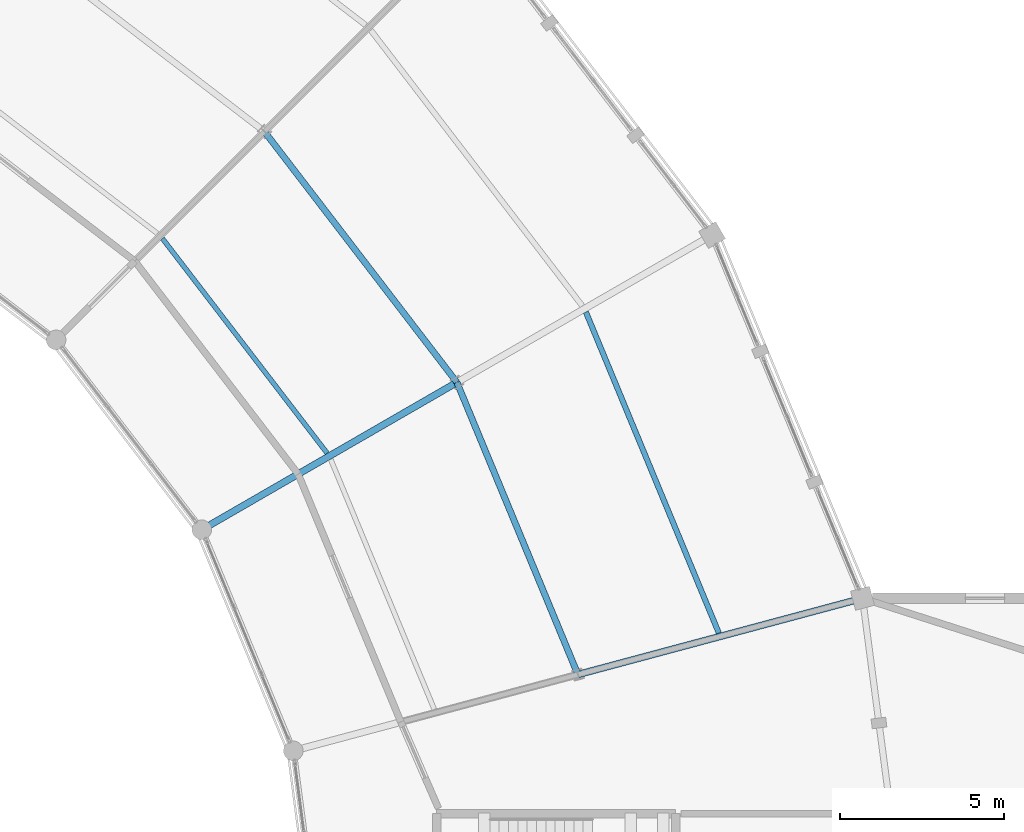
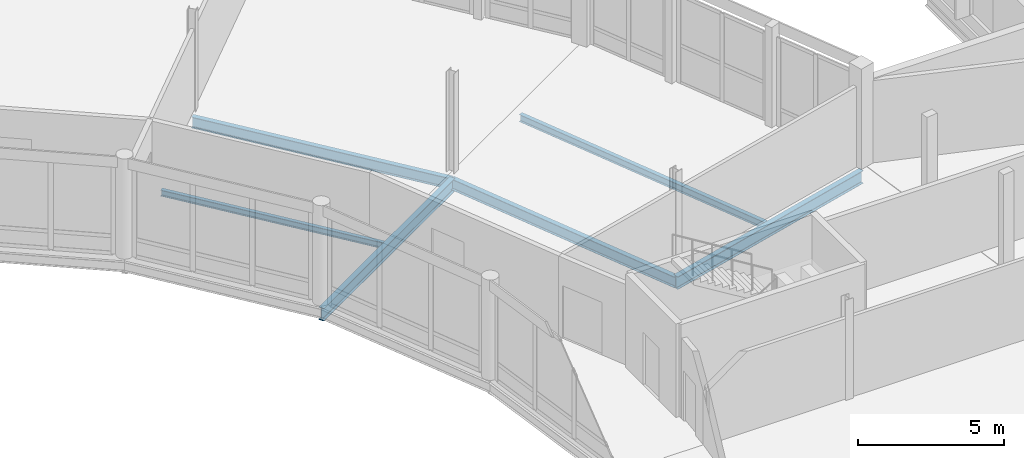
# One storey, part 111 of 170: 6 beams.
"""IFC4 building model written with IfcOpenShell, lengths in metres."""

from ifc_helpers import new_model, si_unit, direction, frame, origin, origin_2d, place, context, subcontext, project, spatial, i_section, extrude, material, material_profile, profile_set, type_object, element, save


model = new_model("IFC4")

# Units and contexts
model_context = context("Model", 3, precision=1e-05, world=origin(), true_north=direction((0.0, 1.0)))
body_context = subcontext(model_context, "Body", "Model", "MODEL_VIEW")
ifc_project = project(units=[si_unit("LENGTHUNIT", "METRE"), si_unit("AREAUNIT", "SQUARE_METRE"), si_unit("VOLUMEUNIT", "CUBIC_METRE"), si_unit("PLANEANGLEUNIT", "RADIAN"), si_unit("MASSUNIT", "GRAM", prefix="KILO")], contexts=[model_context])

# Site, building, storey
site_placement = place(None, origin())
site = spatial("IfcSite", under=ifc_project, at=site_placement, CompositionType="ELEMENT")
building_placement = place(site_placement, origin())
building = spatial("IfcBuilding", under=site, at=building_placement, Name="Vondelvale Polytechnic", CompositionType="ELEMENT")
storey_placement = place(building_placement, frame((0.0, 0.0, 5.39990234375)))
storey = spatial("IfcBuildingStorey", under=building, at=storey_placement, Name="L01", CompositionType="ELEMENT", Elevation=5.39990234375)

# Beams
ifc_material = material(Name="Steel 300PLUS (fy = 300 MPa)", Category="steel")
ifc_material_profile_1 = material_profile(ifc_material, i_section(OverallWidth=0.19091796875, OverallDepth=0.4599609375, WebThickness=0.010009765625, FlangeThickness=0.01611328125, FilletRadius=0.011474609375, at=origin_2d()), Name="460UB82.1")
ifc_profile_set_1 = profile_set([ifc_material_profile_1], Name="Steel 300PLUS (fy = 300 MPa)")
beam_type_1 = type_object("IfcBeamType", Name="BM-UB460H", PredefinedType="BEAM", material=ifc_profile_set_1)
for number, where, z_axis, x_axis, name in (
    (1, (137.7392578125, 81.576416015625, -0.510009765625), (-0.38268516011, 0.923878816854, 0.0), (-0.923878816854, -0.38268516011, 0.0), "L01 RB B-12"),
    (2, (134.04296875, 90.5, -0.510009765625), (-0.60874775518, 0.793363832402, 0.0), (-0.793363832402, -0.60874775518, 0.0), "L01 RB B-12"),
):
    element("IfcBeam", number, at=place(storey_placement, frame(where, z_axis=z_axis, x_axis=x_axis)), inside=storey, type_object=beam_type_1, Name=name, PredefinedType="BEAM", context=body_context, shape_type="SweptSolid", body=[
        extrude(i_section(OverallWidth=0.19091796875, OverallDepth=0.4599609375, WebThickness=0.010009765625, FlangeThickness=0.01611328125, FilletRadius=0.011474609375, at=origin_2d()), origin(), (0.0, 0.0, 1.0), 9.658935546875),
    ])
ifc_material_profile_2 = material_profile(ifc_material, i_section(OverallWidth=0.208984375, OverallDepth=0.532958984375, WebThickness=0.01025390625, FlangeThickness=0.015625, FilletRadius=0.013916015625, at=origin_2d()), Name="530UB92.4")
ifc_profile_set_2 = profile_set([ifc_material_profile_2], Name="Steel 300PLUS (fy = 300 MPa)")
beam_type_2 = type_object("IfcBeamType", Name="BM-UB530", PredefinedType="BEAM", material=ifc_profile_set_2)
for number, where, z_axis, x_axis, name in (
    (3, (137.7392578125, 81.576416015625, -0.54638671875), (0.965926740751, 0.25881563226, 0.0), (-0.25881563226, 0.965926740751, 0.0), "L01 RG B-11"),
    (4, (126.248779296875, 86.0, -0.54638671875), (0.866024315419, 0.5000018851, 0.0), (-0.5000018851, 0.866024315419, 0.0), "L01 RG B-11"),
):
    element("IfcBeam", number, at=place(storey_placement, frame(where, z_axis=z_axis, x_axis=x_axis)), inside=storey, type_object=beam_type_2, Name=name, PredefinedType="BEAM", context=body_context, shape_type="SweptSolid", body=[
        extrude(i_section(OverallWidth=0.208984375, OverallDepth=0.532958984375, WebThickness=0.01025390625, FlangeThickness=0.015625, FilletRadius=0.013916015625, at=origin_2d()), origin(), (0.0, 0.0, 1.0), 9.0),
    ])
ifc_material_profile_3 = material_profile(ifc_material, i_section(OverallWidth=0.14599609375, OverallDepth=0.256103515625, WebThickness=0.00634765625, FlangeThickness=0.010986328125, FilletRadius=0.0087890625, at=origin_2d()), Name="250UB37.3")
ifc_profile_set_3 = profile_set([ifc_material_profile_3], Name="Steel 300PLUS (fy = 300 MPa)")
beam_type_3 = type_object("IfcBeamType", Name="JST-UB250", PredefinedType="JOIST", material=ifc_profile_set_3)
beam_1_placement = place(storey_placement, frame((130.078857421875, 88.33740234375, -0.407958984375), z_axis=(-0.608750899721, 0.793361419587, 0.0), x_axis=(-0.793361419587, -0.608750899721, 0.0)))
element("IfcBeam", 5, at=beam_1_placement, inside=storey, type_object=beam_type_3, Name="L01 RJ J-06", PredefinedType="JOIST", context=body_context, shape_type="SweptSolid", body=[
    extrude(i_section(OverallWidth=0.14599609375, OverallDepth=0.256103515625, WebThickness=0.00634765625, FlangeThickness=0.010986328125, FilletRadius=0.0087890625, at=origin_2d()), origin(), (0.0, 0.0, 1.0), 8.26416015625),
])
ifc_material_profile_4 = material_profile(ifc_material, i_section(OverallWidth=0.1650390625, OverallDepth=0.303955078125, WebThickness=0.006103515625, FlangeThickness=0.01025390625, FilletRadius=0.011474609375, at=origin_2d()), Name="310UB40.4")
ifc_profile_set_4 = profile_set([ifc_material_profile_4], Name="Steel 300PLUS (fy = 300 MPa)")
beam_type_4 = type_object("IfcBeamType", Name="JST-UB310", PredefinedType="JOIST", material=ifc_profile_set_4)
beam_2_placement = place(storey_placement, frame((142.043701171875, 82.842529296875, -0.431884765625), z_axis=(-0.382666002839, 0.923886751865, 0.0), x_axis=(-0.923886751865, -0.382666002839, 0.0)))
element("IfcBeam", 6, at=beam_2_placement, inside=storey, type_object=beam_type_4, Name="L01 RJ J-05", PredefinedType="JOIST", context=body_context, shape_type="SweptSolid", body=[
    extrude(i_section(OverallWidth=0.1650390625, OverallDepth=0.303955078125, WebThickness=0.006103515625, FlangeThickness=0.01025390625, FilletRadius=0.011474609375, at=origin_2d()), origin(), (0.0, 0.0, 1.0), 10.61376953125),
])

save(model, "model.ifc")
